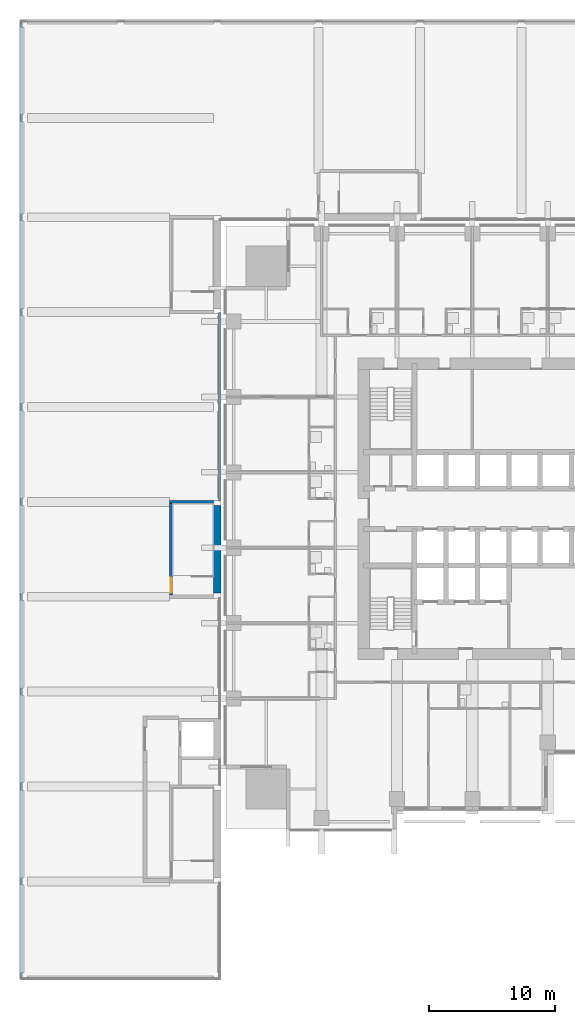
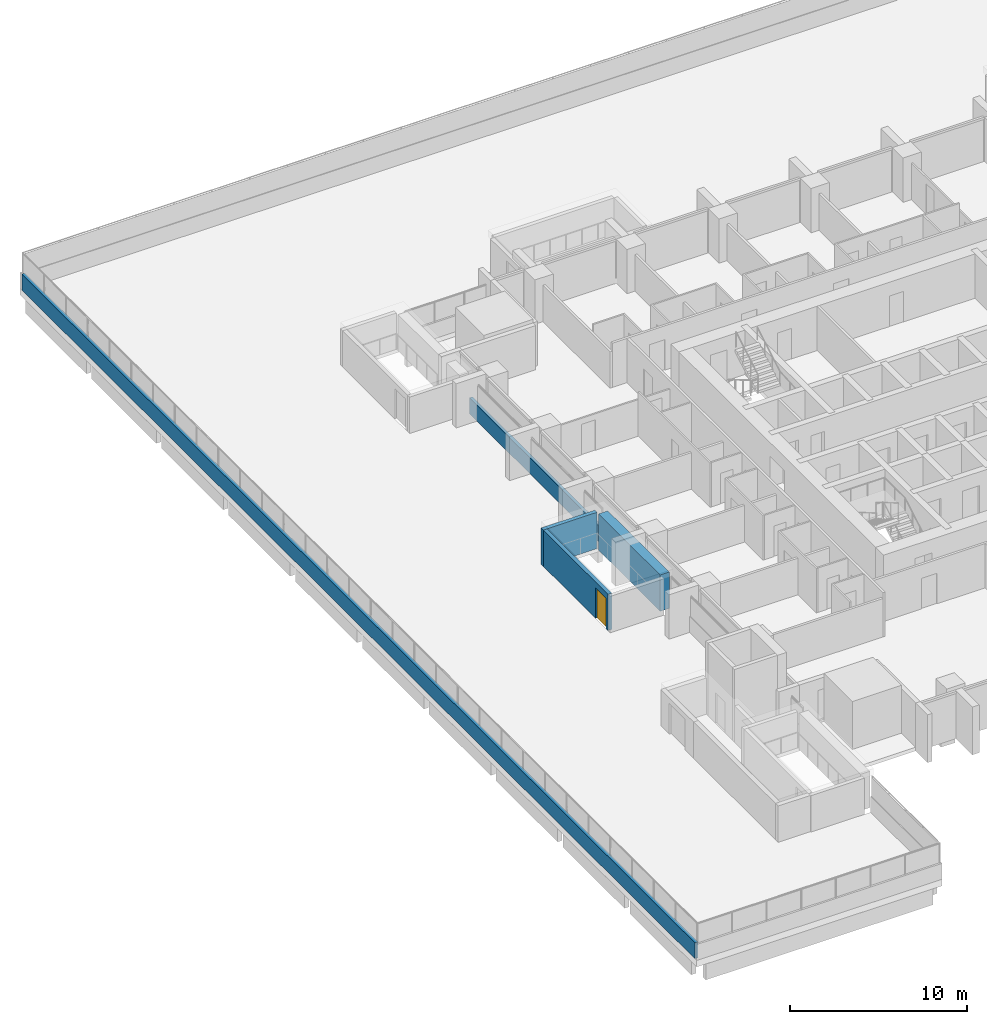
# One storey, part 7 of 15: 5 walls, 1 door, 1 opening.
"""IFC4 building model written with IfcOpenShell, lengths in metres."""

from ifc_helpers import new_model, si_unit, direction, frame, frame_2d, origin, place, context, subcontext, project, spatial, rectangle, extrude, material, layer, layer_set, type_object, element, fill, save


model = new_model("IFC4")

# Units and contexts
model_context = context("Model", 3, precision=1e-05, world=origin(), true_north=direction((0.0, 1.0)))
body_context = subcontext(model_context, "Body", "Model", "MODEL_VIEW")
ifc_project = project(units=[si_unit("LENGTHUNIT", "METRE"), si_unit("AREAUNIT", "SQUARE_METRE"), si_unit("VOLUMEUNIT", "CUBIC_METRE"), si_unit("PLANEANGLEUNIT", "RADIAN"), si_unit("MASSUNIT", "GRAM", prefix="KILO")], contexts=[model_context])

# Site, building, storey
site_placement = place(None, origin())
site = spatial("IfcSite", under=ifc_project, at=site_placement, CompositionType="ELEMENT")
building_placement = place(site_placement, origin())
building = spatial("IfcBuilding", under=site, at=building_placement, Name="Amberfall Residences", CompositionType="ELEMENT")
storey_placement = place(building_placement, frame((0.0, 0.0, 23.5)))
storey = spatial("IfcBuildingStorey", under=building, at=storey_placement, Name="L05", CompositionType="ELEMENT", Elevation=23.5)

# Walls
ifc_material_1 = material(Name="Brick masonry", Category="masonry")
ifc_layer_1 = layer(ifc_material_1, 0.199951171875)
ifc_layer_set_1 = layer_set([ifc_layer_1], Name="School roof parapet 200")
wall_type_1 = type_object("IfcWallType", Name="School roof parapet 200", PredefinedType="PARAPET", material=ifc_layer_set_1)
wall_1_placement = place(storey_placement, frame((35.699951171875, 8.199951171875, 0.0), z_axis=(0.0, 0.0, 1.0), x_axis=(0.0, 1.0, 0.0)))
element("IfcWall", 1, at=wall_1_placement, inside=storey, type_object=wall_type_1, Name="School roof parapet", PredefinedType="PARAPET", context=body_context, shape_type="SweptSolid", body=[
    extrude(rectangle(XDim=76.0, YDim=0.199951171875, at=frame_2d((38.0, 0.0))), origin(), (0.0, 0.0, 1.0), 1.10009765625),
])
wall_2_placement = place(storey_placement, frame((51.5, 46.175048828125, 0.0), z_axis=(0.0, 0.0, 1.0), x_axis=(0.0, 1.0, 0.0)))
element("IfcWall", 2, at=wall_2_placement, inside=storey, type_object=wall_type_1, Name="School roof parapet", PredefinedType="PARAPET", context=body_context, shape_type="SweptSolid", body=[
    extrude(rectangle(XDim=14.849853515625, YDim=0.199951171875, at=frame_2d((7.4248046875, 0.0))), origin(), (0.0, 0.0, 1.0), 1.10009765625),
])

# Wall, opening, door
ifc_material_2 = material(Name="Concrete C50", Category="concrete")
ifc_layer_2 = layer(ifc_material_2, 0.25)
ifc_layer_set_2 = layer_set([ifc_layer_2], Name="School stair core wall 250 C50")
wall_type_2 = type_object("IfcWallType", Name="School stair core wall 250 C50", PredefinedType="SHEAR", material=ifc_layer_set_2)
wall_3_placement = place(storey_placement, frame((47.625, 38.625, 0.0), z_axis=(0.0, 0.0, 1.0), x_axis=(0.0, 1.0, 0.0)))
wall_3 = element("IfcWall", 3, at=wall_3_placement, inside=storey, type_object=wall_type_2, Name="School stair head house wall SS2W", PredefinedType="SHEAR", context=body_context, shape_type="SweptSolid", body=[
    extrude(rectangle(XDim=7.300048828125, YDim=0.25, at=frame_2d((3.64990234375, 0.0))), origin(), (0.0, 0.0, 1.0), 2.5),
])
opening_placement = place(wall_3_placement, frame((0.199951171875, 0.0, 0.0)))
opening = element("IfcOpeningElement", 4, at=opening_placement, cuts=wall_3, Name="Opening SD4", PredefinedType="OPENING", context=body_context, shape_type="SweptSolid", body=[
    extrude(rectangle(XDim=1.199951171875, YDim=2.10009765625, at=frame_2d((0.60009765625, 1.050048828125))), frame((0.0, 0.135009765625, 0.0), z_axis=(0.0, -1.0, 0.0), x_axis=(1.0, 0.0, 0.0)), (0.0, 0.0, 1.0), 0.27001953125),
])
ifc_material_3 = material(Name="Steel fire door", Category="steel")
door_type = type_object("IfcDoorType", Name="School stair door 1200 x 2100 FD120", OperationType="SINGLE_SWING_LEFT", PredefinedType="DOOR", material=ifc_material_3)
door_placement = place(opening_placement, origin())
door = element("IfcDoor", 5, at=door_placement, inside=storey, type_object=door_type, Name="School stair head door SS2", OperationType="SINGLE_SWING_LEFT", OverallHeight=2.10009765625, OverallWidth=1.199951171875, PredefinedType="DOOR", context=body_context, shape_type="SweptSolid", body=[
    extrude(rectangle(XDim=1.199951171875, YDim=2.10009765625, at=frame_2d((0.60009765625, 1.050048828125))), frame((0.0, 0.02490234375, 0.0), z_axis=(0.0, -1.0, 0.0), x_axis=(1.0, 0.0, 0.0)), (0.0, 0.0, 1.0), 0.050048828125),
])
fill(opening, door)

# Walls
wall_4_placement = place(storey_placement, frame((47.5, 46.050048828125, 0.0), z_axis=(0.0, 0.0, 1.0), x_axis=(1.0, 0.0, 0.0)))
element("IfcWall", 6, at=wall_4_placement, inside=storey, type_object=wall_type_2, Name="School stair head house wall SS2N", PredefinedType="SHEAR", context=body_context, shape_type="SweptSolid", body=[
    extrude(rectangle(XDim=3.5, YDim=0.25, at=frame_2d((1.75, 0.0))), origin(), (0.0, 0.0, 1.0), 2.5),
])
ifc_layer_3 = layer(ifc_material_2, 0.60009765625)
ifc_layer_set_3 = layer_set([ifc_layer_3], Name="School tower-side core wall 600 C50")
wall_type_3 = type_object("IfcWallType", Name="School tower-side core wall 600 C50", PredefinedType="SHEAR", material=ifc_layer_set_3)
wall_5_placement = place(storey_placement, frame((51.300048828125, 38.800048828125, 0.0), z_axis=(0.0, 0.0, 1.0), x_axis=(0.0, 1.0, 0.0)))
element("IfcWall", 7, at=wall_5_placement, inside=storey, type_object=wall_type_3, Name="School stair head house wall SS2E", PredefinedType="SHEAR", context=body_context, shape_type="SweptSolid", body=[
    extrude(rectangle(XDim=6.949951171875, YDim=0.60009765625, at=frame_2d((3.47509765625, 0.0))), origin(), (0.0, 0.0, 1.0), 2.5),
])

save(model, "model.ifc")
